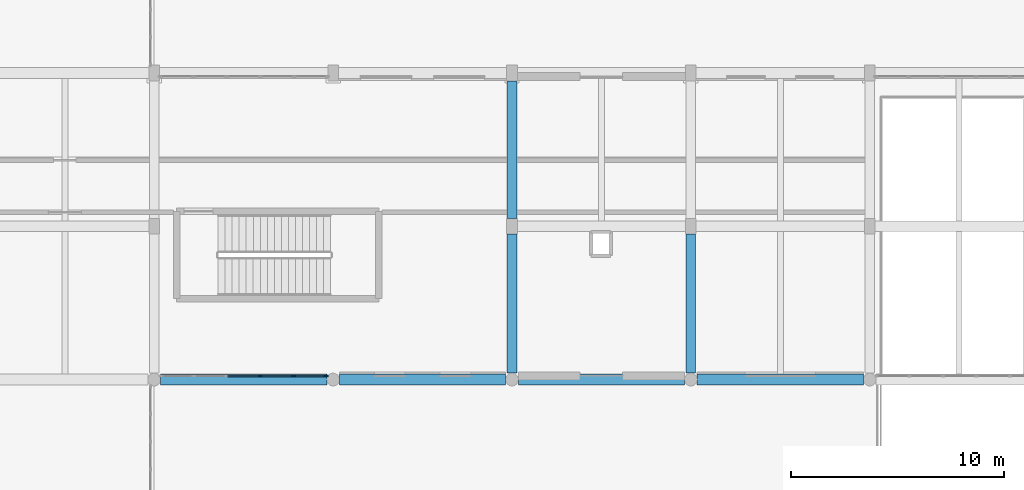
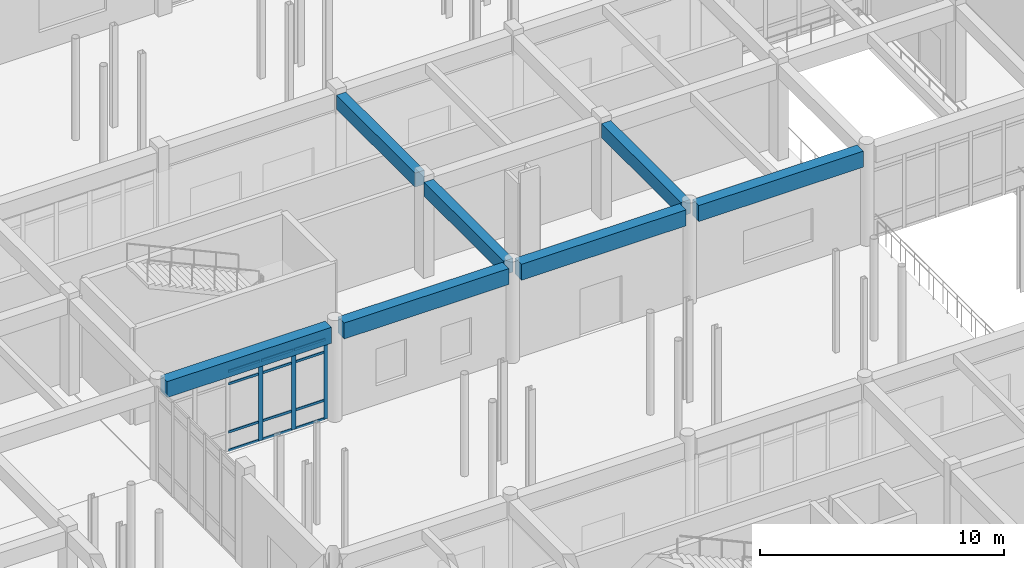
# One storey, part 42 of 121: 15 members, 7 beams, 1 element without a shape of its own.
"""IFC4 building model written with IfcOpenShell, lengths in metres."""

from ifc_helpers import new_model, si_unit, direction, frame, origin, origin_2d, place, context, subcontext, project, spatial, rectangle, extrude, material, material_profile, profile_set, type_object, element, aggregate, save


model = new_model("IFC4")

# Units and contexts
model_context = context("Model", 3, precision=1e-05, world=origin(), true_north=direction((0.0, 1.0)))
body_context = subcontext(model_context, "Body", "Model", "MODEL_VIEW")
ifc_project = project(units=[si_unit("LENGTHUNIT", "METRE"), si_unit("AREAUNIT", "SQUARE_METRE"), si_unit("VOLUMEUNIT", "CUBIC_METRE"), si_unit("PLANEANGLEUNIT", "RADIAN"), si_unit("MASSUNIT", "GRAM", prefix="KILO")], contexts=[model_context])

# Site, building, storey
site_placement = place(None, origin())
site = spatial("IfcSite", under=ifc_project, at=site_placement, CompositionType="ELEMENT")
building_placement = place(site_placement, origin())
building = spatial("IfcBuilding", under=site, at=building_placement, Name="Malvenik Polytechnic", CompositionType="ELEMENT")
storey_placement = place(building_placement, origin())
storey = spatial("IfcBuildingStorey", under=building, at=storey_placement, Name="L00", CompositionType="ELEMENT", Elevation=0.0)

# Curtain wall, members
ifc_material_1 = material(Name="Anodised aluminium 6060-T6", Category="aluminium")
curtain_wall_type = type_object("IfcCurtainWallType", Name="ARC-CW-CW-01", PredefinedType="NOTDEFINED", material=ifc_material_1)
curtain_wall_placement = place(storey_placement, origin())
curtain_wall = element("IfcCurtainWall", 1, at=curtain_wall_placement, inside=storey, type_object=curtain_wall_type, Name="Unitised Curtain Wall CW-01 L00 #15", PredefinedType="NOTDEFINED")
ifc_material_2 = material(Name="Anodised aluminium", Category="aluminium")
ifc_material_profile_1 = material_profile(ifc_material_2, rectangle(XDim=0.06005859375, YDim=0.199951171875, at=origin_2d()), Name="ALU MULLION 60x200")
ifc_profile_set_1 = profile_set([ifc_material_profile_1], Name="Anodised aluminium")
member_type_1 = type_object("IfcMemberType", Name="ARC-CWM-200", PredefinedType="MULLION", material=ifc_profile_set_1)
member_1_placement = place(storey_placement, frame((100.471923828125, 50.570068359375, 0.0), z_axis=(0.0, 0.0, 1.0), x_axis=(0.0, -1.0, 0.0)))
member_1 = element("IfcMember", 2, at=member_1_placement, type_object=member_type_1, Name="CW-01 mullion 1", PredefinedType="MULLION", context=body_context, shape_type="SweptSolid", body=[
    extrude(rectangle(XDim=0.06005859375, YDim=0.199951171875, at=origin_2d()), origin(), (0.0, 0.0, 1.0), 4.010009765625),
])
member_2_placement = place(storey_placement, frame((98.941162109375, 50.570068359375, 0.0), z_axis=(0.0, 0.0, 1.0), x_axis=(0.0, -1.0, 0.0)))
member_2 = element("IfcMember", 3, at=member_2_placement, type_object=member_type_1, Name="CW-01 mullion 2", PredefinedType="MULLION", context=body_context, shape_type="SweptSolid", body=[
    extrude(rectangle(XDim=0.06005859375, YDim=0.199951171875, at=origin_2d()), origin(), (0.0, 0.0, 1.0), 4.010009765625),
])
member_3_placement = place(storey_placement, frame((97.38037109375, 50.570068359375, 0.0), z_axis=(0.0, 0.0, 1.0), x_axis=(0.0, -1.0, 0.0)))
member_3 = element("IfcMember", 4, at=member_3_placement, type_object=member_type_1, Name="CW-01 mullion 3", PredefinedType="MULLION", context=body_context, shape_type="SweptSolid", body=[
    extrude(rectangle(XDim=0.06005859375, YDim=0.199951171875, at=origin_2d()), origin(), (0.0, 0.0, 1.0), 4.010009765625),
])
ifc_material_profile_2 = material_profile(ifc_material_2, rectangle(XDim=0.06005859375, YDim=0.1201171875, at=origin_2d()), Name="ALU TRANSOM 60x120")
ifc_profile_set_2 = profile_set([ifc_material_profile_2], Name="Anodised aluminium")
member_type_2 = type_object("IfcMemberType", Name="ARC-CWT-120", PredefinedType="USERDEFINED", material=ifc_profile_set_2)
member_4_placement = place(storey_placement, frame((100.44189453125, 50.570068359375, 0.030029296875), z_axis=(-1.0, 0.0, 0.0), x_axis=(0.0, -1.0, 0.0)))
member_4 = element("IfcMember", 5, at=member_4_placement, type_object=member_type_2, Name="CW-01 transom 1.1", ObjectType="TRANSOM", PredefinedType="USERDEFINED", context=body_context, shape_type="SweptSolid", body=[
    extrude(rectangle(XDim=0.06005859375, YDim=0.1201171875, at=origin_2d()), origin(), (0.0, 0.0, 1.0), 1.470703125),
])
member_5_placement = place(storey_placement, frame((100.44189453125, 50.570068359375, 0.949951171875), z_axis=(-1.0, 0.0, 0.0), x_axis=(0.0, -1.0, 0.0)))
member_5 = element("IfcMember", 6, at=member_5_placement, type_object=member_type_2, Name="CW-01 transom 1.2", ObjectType="TRANSOM", PredefinedType="USERDEFINED", context=body_context, shape_type="SweptSolid", body=[
    extrude(rectangle(XDim=0.06005859375, YDim=0.1201171875, at=origin_2d()), origin(), (0.0, 0.0, 1.0), 1.470703125),
])
member_6_placement = place(storey_placement, frame((100.44189453125, 50.570068359375, 3.360107421875), z_axis=(-1.0, 0.0, 0.0), x_axis=(0.0, -1.0, 0.0)))
member_6 = element("IfcMember", 7, at=member_6_placement, type_object=member_type_2, Name="CW-01 transom 1.3", ObjectType="TRANSOM", PredefinedType="USERDEFINED", context=body_context, shape_type="SweptSolid", body=[
    extrude(rectangle(XDim=0.06005859375, YDim=0.1201171875, at=origin_2d()), origin(), (0.0, 0.0, 1.0), 1.470703125),
])
member_7_placement = place(storey_placement, frame((100.44189453125, 50.570068359375, 3.97998046875), z_axis=(-1.0, 0.0, 0.0), x_axis=(0.0, -1.0, 0.0)))
member_7 = element("IfcMember", 8, at=member_7_placement, type_object=member_type_2, Name="CW-01 transom 1.4", ObjectType="TRANSOM", PredefinedType="USERDEFINED", context=body_context, shape_type="SweptSolid", body=[
    extrude(rectangle(XDim=0.06005859375, YDim=0.1201171875, at=origin_2d()), origin(), (0.0, 0.0, 1.0), 1.470703125),
])
member_8_placement = place(storey_placement, frame((98.9111328125, 50.570068359375, 0.030029296875), z_axis=(-1.0, 0.0, 0.0), x_axis=(0.0, -1.0, 0.0)))
member_8 = element("IfcMember", 9, at=member_8_placement, type_object=member_type_2, Name="CW-01 transom 2.1", ObjectType="TRANSOM", PredefinedType="USERDEFINED", context=body_context, shape_type="SweptSolid", body=[
    extrude(rectangle(XDim=0.06005859375, YDim=0.1201171875, at=origin_2d()), origin(), (0.0, 0.0, 1.0), 1.500732421875),
])
member_9_placement = place(storey_placement, frame((98.9111328125, 50.570068359375, 0.949951171875), z_axis=(-1.0, 0.0, 0.0), x_axis=(0.0, -1.0, 0.0)))
member_9 = element("IfcMember", 10, at=member_9_placement, type_object=member_type_2, Name="CW-01 transom 2.2", ObjectType="TRANSOM", PredefinedType="USERDEFINED", context=body_context, shape_type="SweptSolid", body=[
    extrude(rectangle(XDim=0.06005859375, YDim=0.1201171875, at=origin_2d()), origin(), (0.0, 0.0, 1.0), 1.500732421875),
])
member_10_placement = place(storey_placement, frame((98.9111328125, 50.570068359375, 3.360107421875), z_axis=(-1.0, 0.0, 0.0), x_axis=(0.0, -1.0, 0.0)))
member_10 = element("IfcMember", 11, at=member_10_placement, type_object=member_type_2, Name="CW-01 transom 2.3", ObjectType="TRANSOM", PredefinedType="USERDEFINED", context=body_context, shape_type="SweptSolid", body=[
    extrude(rectangle(XDim=0.06005859375, YDim=0.1201171875, at=origin_2d()), origin(), (0.0, 0.0, 1.0), 1.500732421875),
])
member_11_placement = place(storey_placement, frame((98.9111328125, 50.570068359375, 3.97998046875), z_axis=(-1.0, 0.0, 0.0), x_axis=(0.0, -1.0, 0.0)))
member_11 = element("IfcMember", 12, at=member_11_placement, type_object=member_type_2, Name="CW-01 transom 2.4", ObjectType="TRANSOM", PredefinedType="USERDEFINED", context=body_context, shape_type="SweptSolid", body=[
    extrude(rectangle(XDim=0.06005859375, YDim=0.1201171875, at=origin_2d()), origin(), (0.0, 0.0, 1.0), 1.500732421875),
])
member_12_placement = place(storey_placement, frame((97.350341796875, 50.570068359375, 0.030029296875), z_axis=(-1.0, 0.0, 0.0), x_axis=(0.0, -1.0, 0.0)))
member_12 = element("IfcMember", 13, at=member_12_placement, type_object=member_type_2, Name="CW-01 transom 3.1", ObjectType="TRANSOM", PredefinedType="USERDEFINED", context=body_context, shape_type="SweptSolid", body=[
    extrude(rectangle(XDim=0.06005859375, YDim=0.1201171875, at=origin_2d()), origin(), (0.0, 0.0, 1.0), 1.500732421875),
])
member_13_placement = place(storey_placement, frame((97.350341796875, 50.570068359375, 0.949951171875), z_axis=(-1.0, 0.0, 0.0), x_axis=(0.0, -1.0, 0.0)))
member_13 = element("IfcMember", 14, at=member_13_placement, type_object=member_type_2, Name="CW-01 transom 3.2", ObjectType="TRANSOM", PredefinedType="USERDEFINED", context=body_context, shape_type="SweptSolid", body=[
    extrude(rectangle(XDim=0.06005859375, YDim=0.1201171875, at=origin_2d()), origin(), (0.0, 0.0, 1.0), 1.500732421875),
])
member_14_placement = place(storey_placement, frame((97.350341796875, 50.570068359375, 3.360107421875), z_axis=(-1.0, 0.0, 0.0), x_axis=(0.0, -1.0, 0.0)))
member_14 = element("IfcMember", 15, at=member_14_placement, type_object=member_type_2, Name="CW-01 transom 3.3", ObjectType="TRANSOM", PredefinedType="USERDEFINED", context=body_context, shape_type="SweptSolid", body=[
    extrude(rectangle(XDim=0.06005859375, YDim=0.1201171875, at=origin_2d()), origin(), (0.0, 0.0, 1.0), 1.500732421875),
])
member_15_placement = place(storey_placement, frame((97.350341796875, 50.570068359375, 3.97998046875), z_axis=(-1.0, 0.0, 0.0), x_axis=(0.0, -1.0, 0.0)))
member_15 = element("IfcMember", 16, at=member_15_placement, type_object=member_type_2, Name="CW-01 transom 3.4", ObjectType="TRANSOM", PredefinedType="USERDEFINED", context=body_context, shape_type="SweptSolid", body=[
    extrude(rectangle(XDim=0.06005859375, YDim=0.1201171875, at=origin_2d()), origin(), (0.0, 0.0, 1.0), 1.500732421875),
])
aggregate(curtain_wall, [member_1, member_2, member_3, member_4, member_5, member_6, member_7, member_8, member_9, member_10, member_11, member_12, member_13, member_14, member_15])

# Beams
ifc_material_3 = material(Name="Concrete C35/45", Category="concrete")
ifc_material_profile_3 = material_profile(ifc_material_3, rectangle(XDim=0.449951171875, YDim=0.699951171875, at=origin_2d()), Name="RC BM 450x700")
ifc_profile_set_3 = profile_set([ifc_material_profile_3], Name="Concrete C35/45")
beam_type_1 = type_object("IfcBeamType", Name="STR-BM-B-04", PredefinedType="BEAM", material=ifc_profile_set_3)
beam_1_placement = place(storey_placement, frame((109.199951171875, 50.697998046875, 4.469970703125), z_axis=(0.0, 1.0, 0.0), x_axis=(-1.0, 0.0, 0.0)))
element("IfcBeam", 17, at=beam_1_placement, inside=storey, type_object=beam_type_1, Name="Transverse Beam B-04 L00 #806", PredefinedType="BEAM", context=body_context, shape_type="SweptSolid", body=[
    extrude(rectangle(XDim=0.449951171875, YDim=0.699951171875, at=origin_2d()), origin(), (0.0, 0.0, 1.0), 6.529052734375),
])
beam_2_placement = place(storey_placement, frame((109.199951171875, 57.972900390625, 4.469970703125), z_axis=(0.0, 1.0, 0.0), x_axis=(-1.0, 0.0, 0.0)))
element("IfcBeam", 18, at=beam_2_placement, inside=storey, type_object=beam_type_1, Name="Transverse Beam B-04 L00 #807", PredefinedType="BEAM", context=body_context, shape_type="SweptSolid", body=[
    extrude(rectangle(XDim=0.449951171875, YDim=0.699951171875, at=origin_2d()), origin(), (0.0, 0.0, 1.0), 6.4541015625),
])
beam_3_placement = place(storey_placement, frame((117.60009765625, 50.697998046875, 4.469970703125), z_axis=(0.0, 1.0, 0.0), x_axis=(-1.0, 0.0, 0.0)))
element("IfcBeam", 19, at=beam_3_placement, inside=storey, type_object=beam_type_1, Name="Transverse Beam B-04 L00 #817", PredefinedType="BEAM", context=body_context, shape_type="SweptSolid", body=[
    extrude(rectangle(XDim=0.449951171875, YDim=0.699951171875, at=origin_2d()), origin(), (0.0, 0.0, 1.0), 6.529052734375),
])
ifc_material_4 = material(Name="Precast concrete C40/50", Category="concrete")
ifc_material_profile_4 = material_profile(ifc_material_4, rectangle(XDim=0.52001953125, YDim=0.800048828125, at=origin_2d()), Name="PC SPN 520x800")
ifc_profile_set_4 = profile_set([ifc_material_profile_4], Name="Precast concrete C40/50")
beam_type_2 = type_object("IfcBeamType", Name="STR-BM-SP-01", PredefinedType="SPANDREL", material=ifc_profile_set_4)
beam_4_placement = place(storey_placement, frame((92.697998046875, 50.39990234375, 4.419921875), z_axis=(1.0, 0.0, 0.0), x_axis=(0.0, 1.0, 0.0)))
element("IfcBeam", 20, at=beam_4_placement, inside=storey, type_object=beam_type_2, Name="Primary Beam SP-01 L00 #580", PredefinedType="SPANDREL", context=body_context, shape_type="SweptSolid", body=[
    extrude(rectangle(XDim=0.52001953125, YDim=0.800048828125, at=origin_2d()), origin(), (0.0, 0.0, 1.0), 7.803955078125),
])
beam_5_placement = place(storey_placement, frame((101.097900390625, 50.39990234375, 4.419921875), z_axis=(1.0, 0.0, 0.0), x_axis=(0.0, 1.0, 0.0)))
element("IfcBeam", 21, at=beam_5_placement, inside=storey, type_object=beam_type_2, Name="Primary Beam SP-01 L00 #581", PredefinedType="SPANDREL", context=body_context, shape_type="SweptSolid", body=[
    extrude(rectangle(XDim=0.52001953125, YDim=0.800048828125, at=origin_2d()), origin(), (0.0, 0.0, 1.0), 7.80419921875),
])
for number, where, z_axis, x_axis, name in (
    (22, (109.498046875, 50.39990234375, 4.419921875), (1.0, 0.0, 0.0), (0.0, 1.0, 0.0), "Primary Beam SP-01 L00 #582"),
    (23, (117.89794921875, 50.39990234375, 4.419921875), (1.0, 0.0, 0.0), (0.0, 1.0, 0.0), "Primary Beam SP-01 L00 #583"),
):
    element("IfcBeam", number, at=place(storey_placement, frame(where, z_axis=z_axis, x_axis=x_axis)), inside=storey, type_object=beam_type_2, Name=name, PredefinedType="SPANDREL", context=body_context, shape_type="SweptSolid", body=[
        extrude(rectangle(XDim=0.52001953125, YDim=0.800048828125, at=origin_2d()), origin(), (0.0, 0.0, 1.0), 7.803955078125),
    ])

save(model, "model.ifc")
